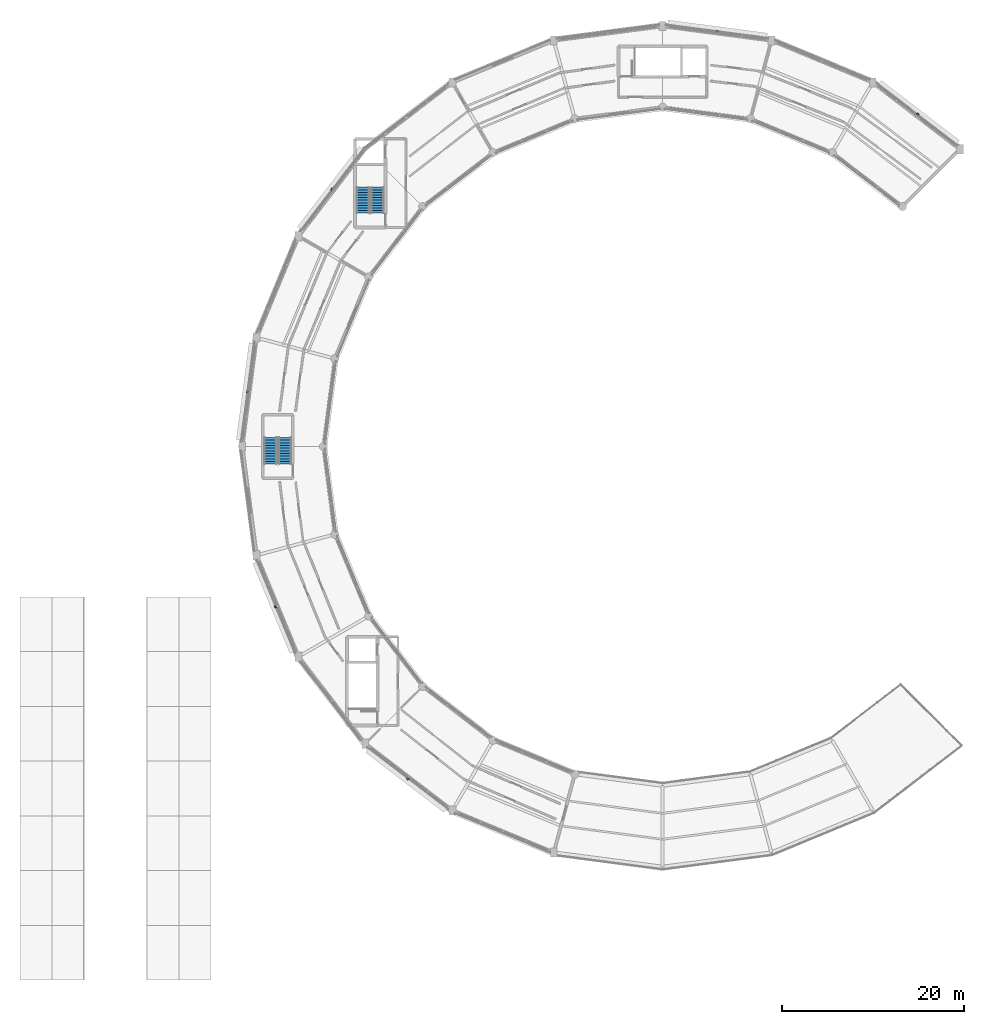
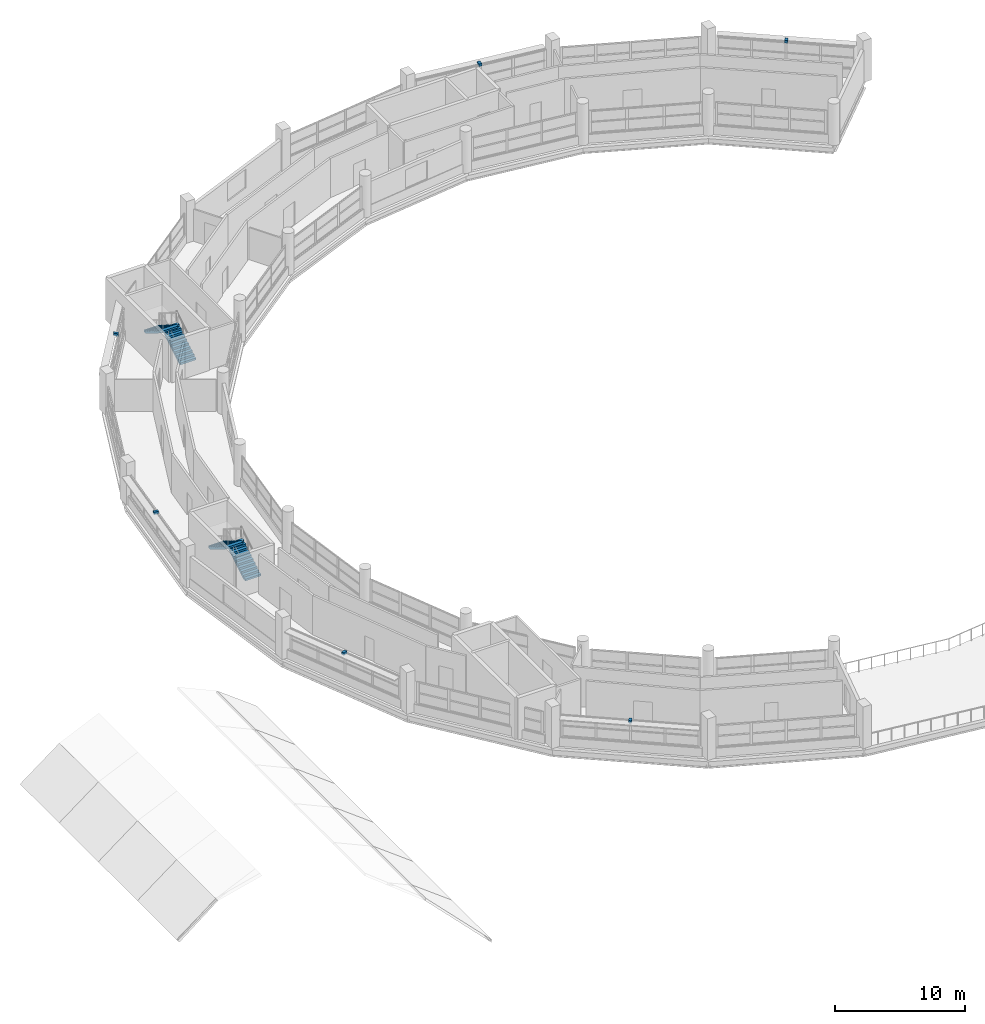
# One storey, part 48 of 53: 6 discrete accessories, 4 stair flights, 2 elements without a shape of their own.
"""IFC4 building model written with IfcOpenShell, lengths in metres."""

import ifcopenshell
import ifcopenshell.guid

model = None  # the IFC model being written
_history = None  # IfcOwnerHistory: only IFC2X3 demands one
_inside = {}  # id of a spatial element -> (the spatial element, [elements in it])
_under = {}  # id of a project, library or spatial element -> (it, [spatial elements below it])
_declared = {}  # id of a project -> (the project, [libraries it declares])
_typed = {}  # id of a type object -> (the type object, [elements of that type])
_made_of = {}  # id of a material, layer set ... -> (it, [elements and type objects made of it])


def new_model(schema):
    """Start an empty IFC model of exactly this schema.

    Asked for "IFC4X3", IfcOpenShell would pick the latest addendum, in which some entities
    have other attributes; the version numbers below select the first issue.
    IFC2X3 requires an IfcOwnerHistory on every rooted entity: one is made here for all.
    """
    global model, _history
    if schema == "IFC4X3":
        model = ifcopenshell.file(schema_version=(4, 3, 0, 0))
    else:
        model = ifcopenshell.file(schema=schema)
    _inside.clear()
    _under.clear()
    _declared.clear()
    _typed.clear()
    _made_of.clear()
    _history = None
    if model.schema == "IFC2X3":
        org = make("IfcOrganization", Name="unknown")
        user = make(
            "IfcPersonAndOrganization",
            ThePerson=make("IfcPerson", FamilyName="unknown"),
            TheOrganization=org,
        )
        app = make(
            "IfcApplication",
            ApplicationDeveloper=org,
            Version="unknown",
            ApplicationFullName="unknown",
            ApplicationIdentifier="unknown",
        )
        _history = make(
            "IfcOwnerHistory",
            OwningUser=user,
            OwningApplication=app,
            ChangeAction="ADDED",
            CreationDate=0,
        )
    return model


def make(cls, **values):
    """One entity of the class cls with the attributes given. An attribute that is None is left unset."""
    return model.create_entity(
        cls, **{name: value for name, value in values.items() if value is not None}
    )


def rooted(cls, **values):
    """An entity with a GlobalId (a new one), such as an element, a storey or a relation."""
    return make(cls, GlobalId=ifcopenshell.guid.new(), OwnerHistory=_history, **values)


def si_unit(unit_type, name, prefix=None):
    """IfcSIUnit, for example si_unit("LENGTHUNIT", "METRE", prefix="MILLI")."""
    return make("IfcSIUnit", UnitType=unit_type, Prefix=prefix, Name=name)


def assignment(units):
    """IfcUnitAssignment: the units of a project."""
    return None if units is None else make("IfcUnitAssignment", Units=units)


def point(xyz):
    """IfcCartesianPoint."""
    return None if xyz is None else make("IfcCartesianPoint", Coordinates=xyz)


def direction(xyz):
    """IfcDirection."""
    return None if xyz is None else make("IfcDirection", DirectionRatios=xyz)


def frame(location, z_axis=None, x_axis=None):
    """IfcAxis2Placement3D, a coordinate frame: its origin and axes. An axis left out is left unset."""
    return make(
        "IfcAxis2Placement3D",
        Location=point(location),
        Axis=direction(z_axis),
        RefDirection=direction(x_axis),
    )


def frame_2d(location, x_axis=None):
    """IfcAxis2Placement2D, a coordinate frame in the plane: its origin and x axis."""
    return make(
        "IfcAxis2Placement2D", Location=point(location), RefDirection=direction(x_axis)
    )


def origin():
    """The frame at (0, 0, 0) with its axes left unset."""
    return frame((0.0, 0.0, 0.0))


def origin_2d():
    """The frame at (0, 0) in the plane with its x axis left unset."""
    return frame_2d((0.0, 0.0))


def place(relative_to, where):
    """IfcLocalPlacement: puts the frame where relative to a parent placement (None: the world)."""
    return make(
        "IfcLocalPlacement", PlacementRelTo=relative_to, RelativePlacement=where
    )


def context(
    kind, dimensions, precision=None, world=None, true_north=None, identifier=None
):
    """IfcGeometricRepresentationContext, for example the 3D "Model" context."""
    return make(
        "IfcGeometricRepresentationContext",
        ContextIdentifier=identifier,
        ContextType=kind,
        CoordinateSpaceDimension=dimensions,
        Precision=precision,
        WorldCoordinateSystem=world,
        TrueNorth=true_north,
    )


def subcontext(parent, identifier, kind, view, scale=None):
    """IfcGeometricRepresentationSubContext, for example "Body" below "Model"."""
    return make(
        "IfcGeometricRepresentationSubContext",
        ContextIdentifier=identifier,
        ContextType=kind,
        ParentContext=parent,
        TargetScale=scale,
        TargetView=view,
    )


def project(units=None, contexts=None):
    """IfcProject with its units and contexts."""
    return rooted(
        "IfcProject",
        Name="project",
        RepresentationContexts=contexts,
        UnitsInContext=assignment(units),
    )


def spatial(cls, under=None, at=None, **own):
    """A site, building, storey or space (cls), placed at a placement, below another one or the project."""
    s = rooted(cls, ObjectPlacement=at, **own)
    if under is not None:
        _under.setdefault(under.id(), (under, []))[1].append(s)
    return s


def polyline(points):
    """IfcPolyline through the points."""
    return make("IfcPolyline", Points=[point(p) for p in points])


def profile(cls, at=None, kind="AREA", **sizes):
    """A parametric profile (cls). Its sizes go by their IFC names, for example OverallWidth=200.0."""
    return make(cls, ProfileType=kind, Position=at, **sizes)


def rectangle(**sizes):
    """IfcRectangleProfileDef."""
    return profile("IfcRectangleProfileDef", **sizes)


def outline(outer, holes=None, kind="AREA"):
    """IfcArbitraryClosedProfileDef: a profile drawn as a closed curve; with holes, ...WithVoids."""
    if holes is None:
        return make("IfcArbitraryClosedProfileDef", ProfileType=kind, OuterCurve=outer)
    return make(
        "IfcArbitraryProfileDefWithVoids",
        ProfileType=kind,
        OuterCurve=outer,
        InnerCurves=holes,
    )


def extrude(swept, where, along, depth):
    """IfcExtrudedAreaSolid: the profile swept, set in the frame where, extruded along a direction by depth."""
    return make(
        "IfcExtrudedAreaSolid",
        SweptArea=swept,
        Position=where,
        ExtrudedDirection=direction(along),
        Depth=depth,
    )


def shape(context_of_items, identifier, shape_type, items):
    """IfcShapeRepresentation: the items that make up one representation, for example the "Body"."""
    return make(
        "IfcShapeRepresentation",
        ContextOfItems=context_of_items,
        RepresentationIdentifier=identifier,
        RepresentationType=shape_type,
        Items=items,
    )


def material(Name=None, Category=None):
    """IfcMaterial."""
    return make("IfcMaterial", Name=Name, Category=Category)


def made_of(thing, what):
    """Note that an element or type object is made of a material, layer set ...; save() writes the relation."""
    if what is not None:
        _made_of.setdefault(what.id(), (what, []))[1].append(thing)
    return thing


def type_object(cls, material=None, **own):
    """A type object (cls), such as IfcWallType, which elements share."""
    return made_of(rooted(cls, **own), material)


def element(
    cls,
    number,
    at=None,
    inside=None,
    cuts=None,
    type_object=None,
    material=None,
    context=None,
    identifier="Body",
    shape_type=None,
    held_by="IfcProductDefinitionShape",
    body=None,
    shapes=None,
    **own,
):
    """One element of the class cls, such as IfcWall. Its Tag is "e" and its number.

    at: its placement. inside: the storey or other place that contains it. cuts: it is an
    opening in that element (IfcRelVoidsElement). A single representation is given by context,
    identifier, shape_type and body (its items); several are given by shapes. held_by: the class
    of the entity that holds the representations. save() writes the other relations.
    """
    e = rooted(cls, Tag="e%d" % number, ObjectPlacement=at, **own)
    if body is not None:
        shapes = [shape(context, identifier, shape_type, body)]
    if shapes is not None:
        e.Representation = make(held_by, Representations=shapes)
    if inside is not None:
        _inside.setdefault(inside.id(), (inside, []))[1].append(e)
    if cuts is not None:
        rooted(
            "IfcRelVoidsElement", RelatingBuildingElement=cuts, RelatedOpeningElement=e
        )
    if type_object is not None:
        _typed.setdefault(type_object.id(), (type_object, []))[1].append(e)
    return made_of(e, material)


def aggregate(whole, parts):
    """IfcRelAggregates: a whole, such as a stair, and the parts it consists of."""
    return rooted("IfcRelAggregates", RelatingObject=whole, RelatedObjects=parts)


def save(model, path):
    """Write the relations noted so far, then the file.

    IfcRelAggregates (storeys below a building ...), IfcRelContainedInSpatialStructure (elements
    in a storey), IfcRelDefinesByType, IfcRelAssociatesMaterial and IfcRelDeclares: one each for
    every whole, place, type object, material and project.
    """
    for whole, parts in _under.values():
        aggregate(whole, parts)
    for where, things in _inside.values():
        rooted(
            "IfcRelContainedInSpatialStructure",
            RelatedElements=things,
            RelatingStructure=where,
        )
    for kind, things in _typed.values():
        rooted("IfcRelDefinesByType", RelatedObjects=things, RelatingType=kind)
    for what, things in _made_of.values():
        rooted("IfcRelAssociatesMaterial", RelatedObjects=things, RelatingMaterial=what)
    for by, libraries in _declared.values():
        rooted("IfcRelDeclares", RelatingContext=by, RelatedDefinitions=libraries)
    model.write(path)


model = new_model("IFC4")

# Units and contexts
model_context = context("Model", 3, precision=1e-05, world=origin(), true_north=direction((0.0, 1.0)))
body_context = subcontext(model_context, "Body", "Model", "MODEL_VIEW")
ifc_project = project(units=[si_unit("LENGTHUNIT", "METRE"), si_unit("AREAUNIT", "SQUARE_METRE"), si_unit("VOLUMEUNIT", "CUBIC_METRE"), si_unit("PLANEANGLEUNIT", "RADIAN"), si_unit("MASSUNIT", "GRAM", prefix="KILO")], contexts=[model_context])

# Site, building, storey
site_placement = place(None, origin())
site = spatial("IfcSite", under=ifc_project, at=site_placement, CompositionType="ELEMENT")
building_placement = place(site_placement, origin())
building = spatial("IfcBuilding", under=site, at=building_placement, Name="Vespera Passage Community Centre", CompositionType="ELEMENT")
storey_placement = place(building_placement, frame((0.0, 0.0, 20.39990234375)))
storey = spatial("IfcBuildingStorey", under=building, at=storey_placement, Name="L05", CompositionType="ELEMENT", Elevation=20.39990234375)

# Stair, stair flights
ifc_material_1 = material(Name="Concrete f'c 35 MPa", Category="concrete")
stair_type_1 = type_object("IfcStairType", Name="ST-T03", PredefinedType="HALF_TURN_STAIR", material=ifc_material_1)
stair_1_placement = place(storey_placement, origin())
stair_1 = element("IfcStair", 1, at=stair_1_placement, inside=storey, type_object=stair_type_1, Name="L05 Core C1 Exit Stair ST03", PredefinedType="HALF_TURN_STAIR")
ifc_material_2 = material(Name="Concrete f'c 35 MPa", Category="concrete")
stair_flight_type_1 = type_object("IfcStairFlightType", Name="STF-T03", PredefinedType="STRAIGHT", material=ifc_material_2)
stair_flight_1_placement = place(storey_placement, frame((46.73291015625, 91.077880859375, 0.0), z_axis=(0.0, 0.0, 1.0), x_axis=(0.0, 1.0, 0.0)))
stair_flight_1 = element("IfcStairFlight", 2, at=stair_flight_1_placement, type_object=stair_flight_type_1, Name="ST03 flight 1", NumberOfRisers=11, NumberOfTreads=10, PredefinedType="STRAIGHT", RiserHeight=0.177272727, TreadLength=0.285, context=body_context, shape_type="SweptSolid", body=[
    extrude(outline(polyline([(0.0, 0.0), (0.0, 0.17724609375), (0.284912109375, 0.17724609375), (0.284912109375, 0.3544921875), (0.570068359375, 0.3544921875), (0.570068359375, 0.53173828125), (0.85498046875, 0.53173828125), (0.85498046875, 0.708984375), (1.139892578125, 0.708984375), (1.139892578125, 0.886474609375), (1.425048828125, 0.886474609375), (1.425048828125, 1.063720703125), (1.7099609375, 1.063720703125), (1.7099609375, 1.240966796875), (1.9951171875, 1.240966796875), (1.9951171875, 1.418212890625), (2.280029296875, 1.418212890625), (2.280029296875, 1.595458984375), (2.56494140625, 1.595458984375), (2.56494140625, 1.772705078125), (2.85009765625, 1.772705078125), (2.85009765625, 1.949951171875), (2.85009765625, 1.59619140625), (0.283935546875, 0.0), (0.0, 0.0)])), frame((0.0, 0.699951171875, 0.0), z_axis=(0.0, -1.0, 0.0), x_axis=(1.0, 0.0, 0.0)), (0.0, 0.0, 1.0), 1.39990234375),
])
stair_flight_2_placement = place(storey_placement, frame((45.133056640625, 93.927978515625, 1.9501953125), z_axis=(0.0, 0.0, 1.0), x_axis=(0.0, -1.0, 0.0)))
stair_flight_2 = element("IfcStairFlight", 3, at=stair_flight_2_placement, type_object=stair_flight_type_1, Name="ST03 flight 2", NumberOfRisers=11, NumberOfTreads=10, PredefinedType="STRAIGHT", RiserHeight=0.177272727, TreadLength=0.285, context=body_context, shape_type="SweptSolid", body=[
    extrude(outline(polyline([(0.0, 0.0), (0.0, 0.17724609375), (0.284912109375, 0.17724609375), (0.284912109375, 0.3544921875), (0.570068359375, 0.3544921875), (0.570068359375, 0.53173828125), (0.85498046875, 0.53173828125), (0.85498046875, 0.708984375), (1.139892578125, 0.708984375), (1.139892578125, 0.886474609375), (1.425048828125, 0.886474609375), (1.425048828125, 1.063720703125), (1.7099609375, 1.063720703125), (1.7099609375, 1.240966796875), (1.9951171875, 1.240966796875), (1.9951171875, 1.418212890625), (2.280029296875, 1.418212890625), (2.280029296875, 1.595458984375), (2.56494140625, 1.595458984375), (2.56494140625, 1.772705078125), (2.85009765625, 1.772705078125), (2.85009765625, 1.949951171875), (2.85009765625, 1.59619140625), (0.283935546875, 0.0), (0.0, 0.0)])), frame((0.0, 0.699951171875, 0.0), z_axis=(0.0, -1.0, 0.0), x_axis=(1.0, 0.0, 0.0)), (0.0, 0.0, 1.0), 1.39990234375),
])
aggregate(stair_1, [stair_flight_1, stair_flight_2])

ifc_material_3 = material(Name="Concrete f'c 35 MPa", Category="concrete")
stair_type_2 = type_object("IfcStairType", Name="ST-T06", PredefinedType="HALF_TURN_STAIR", material=ifc_material_3)
stair_2_placement = place(storey_placement, origin())
stair_2 = element("IfcStair", 4, at=stair_2_placement, inside=storey, type_object=stair_type_2, Name="L05 Core C2 Exit Stair ST04", PredefinedType="HALF_TURN_STAIR")
ifc_material_4 = material(Name="Concrete f'c 35 MPa", Category="concrete")
stair_flight_type_2 = type_object("IfcStairFlightType", Name="STF-T06", PredefinedType="STRAIGHT", material=ifc_material_4)
stair_flight_3_placement = place(storey_placement, frame((36.60009765625, 63.574951171875, 0.0), z_axis=(0.0, 0.0, 1.0), x_axis=(0.0, 1.0, 0.0)))
stair_flight_3 = element("IfcStairFlight", 5, at=stair_flight_3_placement, type_object=stair_flight_type_2, Name="ST04 flight 1", NumberOfRisers=11, NumberOfTreads=10, PredefinedType="STRAIGHT", RiserHeight=0.177272727, TreadLength=0.29, context=body_context, shape_type="SweptSolid", body=[
    extrude(outline(polyline([(0.0, 0.0), (0.0, 0.17724609375), (0.2900390625, 0.17724609375), (0.2900390625, 0.3544921875), (0.580078125, 0.3544921875), (0.580078125, 0.53173828125), (0.8701171875, 0.53173828125), (0.8701171875, 0.708984375), (1.159912109375, 0.708984375), (1.159912109375, 0.886474609375), (1.449951171875, 0.886474609375), (1.449951171875, 1.063720703125), (1.739990234375, 1.063720703125), (1.739990234375, 1.240966796875), (2.030029296875, 1.240966796875), (2.030029296875, 1.418212890625), (2.320068359375, 1.418212890625), (2.320068359375, 1.595458984375), (2.610107421875, 1.595458984375), (2.610107421875, 1.772705078125), (2.89990234375, 1.772705078125), (2.89990234375, 1.949951171875), (2.89990234375, 1.596923828125), (0.287353515625, 0.0), (0.0, 0.0)])), frame((0.0, 0.699951171875, 0.0), z_axis=(0.0, -1.0, 0.0), x_axis=(1.0, 0.0, 0.0)), (0.0, 0.0, 1.0), 1.39990234375),
])
stair_flight_4_placement = place(storey_placement, frame((35.0, 66.47509765625, 1.9501953125), z_axis=(0.0, 0.0, 1.0), x_axis=(0.0, -1.0, 0.0)))
stair_flight_4 = element("IfcStairFlight", 6, at=stair_flight_4_placement, type_object=stair_flight_type_2, Name="ST04 flight 2", NumberOfRisers=11, NumberOfTreads=10, PredefinedType="STRAIGHT", RiserHeight=0.177272727, TreadLength=0.29, context=body_context, shape_type="SweptSolid", body=[
    extrude(outline(polyline([(0.0, 0.0), (0.0, 0.17724609375), (0.2900390625, 0.17724609375), (0.2900390625, 0.3544921875), (0.580078125, 0.3544921875), (0.580078125, 0.53173828125), (0.8701171875, 0.53173828125), (0.8701171875, 0.708984375), (1.159912109375, 0.708984375), (1.159912109375, 0.886474609375), (1.449951171875, 0.886474609375), (1.449951171875, 1.063720703125), (1.739990234375, 1.063720703125), (1.739990234375, 1.240966796875), (2.030029296875, 1.240966796875), (2.030029296875, 1.418212890625), (2.320068359375, 1.418212890625), (2.320068359375, 1.595458984375), (2.610107421875, 1.595458984375), (2.610107421875, 1.772705078125), (2.89990234375, 1.772705078125), (2.89990234375, 1.949951171875), (2.89990234375, 1.596923828125), (0.287353515625, 0.0), (0.0, 0.0)])), frame((0.0, 0.699951171875, 0.0), z_axis=(0.0, -1.0, 0.0), x_axis=(1.0, 0.0, 0.0)), (0.0, 0.0, 1.0), 1.39990234375),
])
aggregate(stair_2, [stair_flight_3, stair_flight_4])

# Discrete accessories
ifc_material_5 = material(Name="Steel ASTM A572 Grade 50", Category="steel")
discrete_accessory_type = type_object("IfcDiscreteAccessoryType", Name="ACC-BRACKET", PredefinedType="BRACKET", material=ifc_material_5)
for number, where, z_axis, x_axis, name in (
    (7, (105.908935546875, 101.871826171875, 2.74609375), (0.0, 0.0, 1.0), (0.793342715279, -0.608775275544, 0.0), "V4 L05 Outer Solar Eyebrow 3 Bracket"),
    (8, (83.984130859375, 110.953369140625, 2.74609375), (0.0, 0.0, 1.0), (0.991444861374, -0.13052619222, 0.0), "V4 L05 Outer Solar Eyebrow 5 Bracket"),
    (9, (41.80810546875, 93.6435546875, 2.70556640625), (0.0, 0.0, 1.0), (0.608761429009, 0.793353340291, 0.0), "V4 L05 Outer Solar Eyebrow 9 Bracket"),
    (10, (32.546630859375, 71.484130859375, 2.70556640625), (0.0, 0.0, 1.0), (0.130508888223, 0.991447139335, 0.0), "V4 L05 Outer Solar Eyebrow 11 Bracket"),
    (11, (35.644287109375, 47.95556640625, 2.74609375), (0.0, 0.0, 1.0), (-0.382683432365, 0.923879532511, 0.0), "V4 L05 Outer Solar Eyebrow 13 Bracket"),
    (12, (50.091064453125, 29.128173828125, 2.74609375), (0.0, 0.0, 1.0), (-0.793342715279, 0.608775275544, 0.0), "V4 L05 Outer Solar Eyebrow 15 Bracket"),
):
    element("IfcDiscreteAccessory", number, at=place(storey_placement, frame(where, z_axis=z_axis, x_axis=x_axis)), inside=storey, type_object=discrete_accessory_type, Name=name, PredefinedType="BRACKET", context=body_context, shape_type="SweptSolid", body=[
        extrude(rectangle(XDim=0.239990234375, YDim=0.3798828125, at=origin_2d()), origin(), (0.0, 0.0, 1.0), 0.239990234375),
    ])

save(model, "model.ifc")
